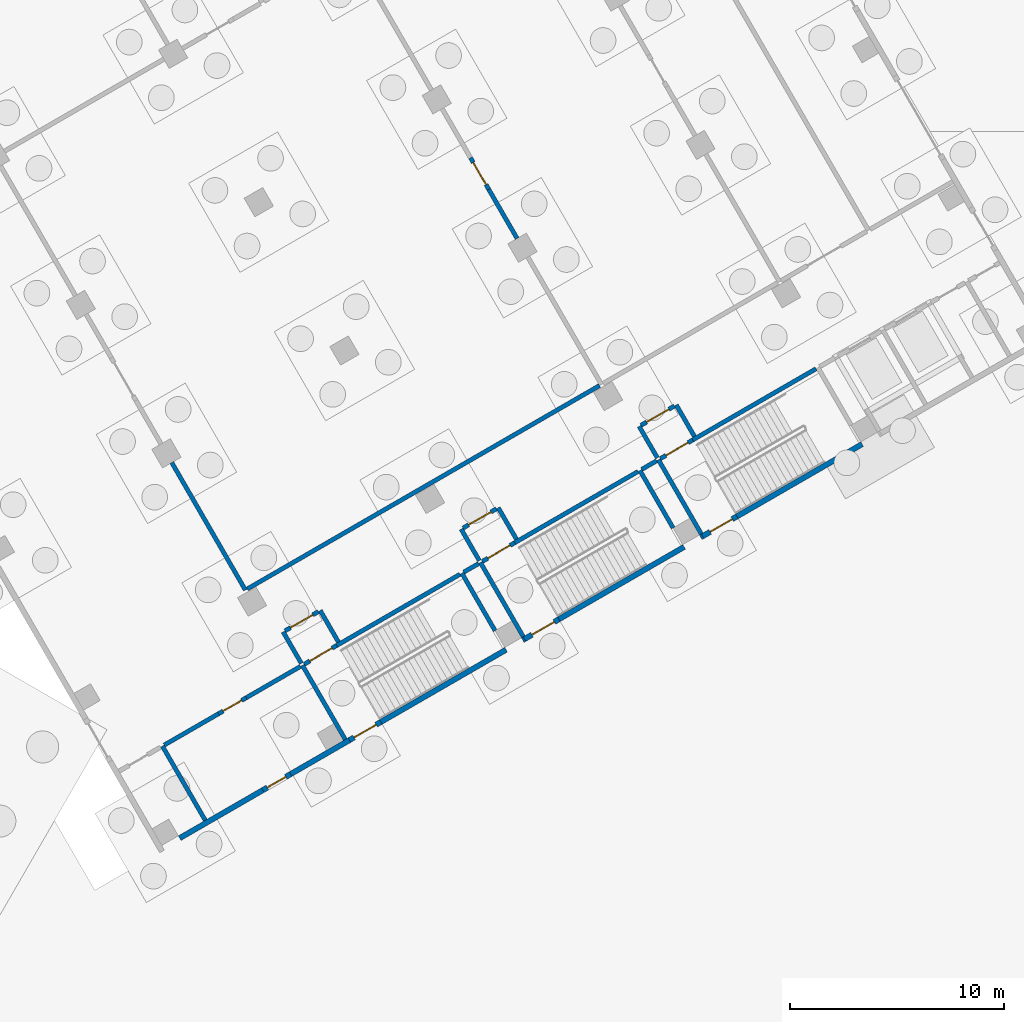
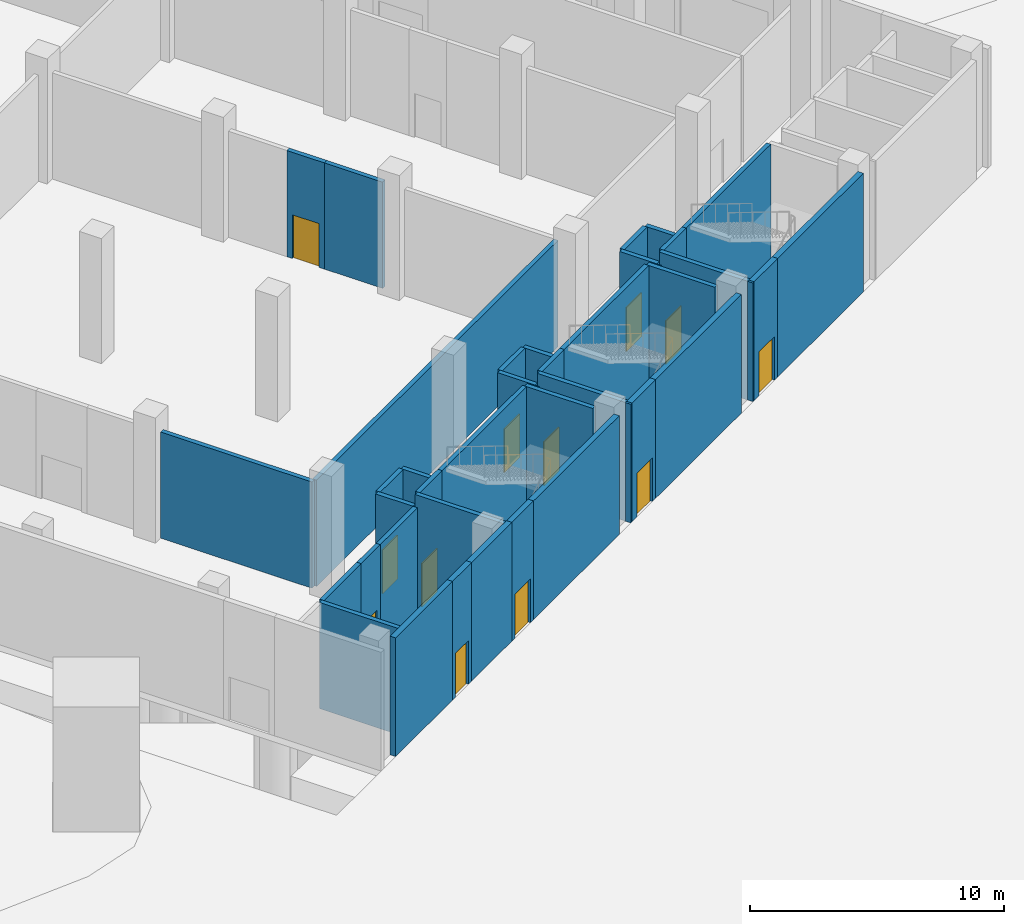
# One storey, part 21 of 38: 41 walls, 12 doors, 12 openings.
"""IFC4 building model written with IfcOpenShell, lengths in metres."""

import ifcopenshell
import ifcopenshell.guid

model = None  # the IFC model being written
_history = None  # IfcOwnerHistory: only IFC2X3 demands one
_inside = {}  # id of a spatial element -> (the spatial element, [elements in it])
_under = {}  # id of a project, library or spatial element -> (it, [spatial elements below it])
_declared = {}  # id of a project -> (the project, [libraries it declares])
_typed = {}  # id of a type object -> (the type object, [elements of that type])
_made_of = {}  # id of a material, layer set ... -> (it, [elements and type objects made of it])


def new_model(schema):
    """Start an empty IFC model of exactly this schema.

    Asked for "IFC4X3", IfcOpenShell would pick the latest addendum, in which some entities
    have other attributes; the version numbers below select the first issue.
    IFC2X3 requires an IfcOwnerHistory on every rooted entity: one is made here for all.
    """
    global model, _history
    if schema == "IFC4X3":
        model = ifcopenshell.file(schema_version=(4, 3, 0, 0))
    else:
        model = ifcopenshell.file(schema=schema)
    _inside.clear()
    _under.clear()
    _declared.clear()
    _typed.clear()
    _made_of.clear()
    _history = None
    if model.schema == "IFC2X3":
        org = make("IfcOrganization", Name="unknown")
        user = make(
            "IfcPersonAndOrganization",
            ThePerson=make("IfcPerson", FamilyName="unknown"),
            TheOrganization=org,
        )
        app = make(
            "IfcApplication",
            ApplicationDeveloper=org,
            Version="unknown",
            ApplicationFullName="unknown",
            ApplicationIdentifier="unknown",
        )
        _history = make(
            "IfcOwnerHistory",
            OwningUser=user,
            OwningApplication=app,
            ChangeAction="ADDED",
            CreationDate=0,
        )
    return model


def make(cls, **values):
    """One entity of the class cls with the attributes given. An attribute that is None is left unset."""
    return model.create_entity(
        cls, **{name: value for name, value in values.items() if value is not None}
    )


def rooted(cls, **values):
    """An entity with a GlobalId (a new one), such as an element, a storey or a relation."""
    return make(cls, GlobalId=ifcopenshell.guid.new(), OwnerHistory=_history, **values)


def si_unit(unit_type, name, prefix=None):
    """IfcSIUnit, for example si_unit("LENGTHUNIT", "METRE", prefix="MILLI")."""
    return make("IfcSIUnit", UnitType=unit_type, Prefix=prefix, Name=name)


def assignment(units):
    """IfcUnitAssignment: the units of a project."""
    return None if units is None else make("IfcUnitAssignment", Units=units)


def point(xyz):
    """IfcCartesianPoint."""
    return None if xyz is None else make("IfcCartesianPoint", Coordinates=xyz)


def direction(xyz):
    """IfcDirection."""
    return None if xyz is None else make("IfcDirection", DirectionRatios=xyz)


def frame(location, z_axis=None, x_axis=None):
    """IfcAxis2Placement3D, a coordinate frame: its origin and axes. An axis left out is left unset."""
    return make(
        "IfcAxis2Placement3D",
        Location=point(location),
        Axis=direction(z_axis),
        RefDirection=direction(x_axis),
    )


def frame_2d(location, x_axis=None):
    """IfcAxis2Placement2D, a coordinate frame in the plane: its origin and x axis."""
    return make(
        "IfcAxis2Placement2D", Location=point(location), RefDirection=direction(x_axis)
    )


def origin():
    """The frame at (0, 0, 0) with its axes left unset."""
    return frame((0.0, 0.0, 0.0))


def place(relative_to, where):
    """IfcLocalPlacement: puts the frame where relative to a parent placement (None: the world)."""
    return make(
        "IfcLocalPlacement", PlacementRelTo=relative_to, RelativePlacement=where
    )


def context(
    kind, dimensions, precision=None, world=None, true_north=None, identifier=None
):
    """IfcGeometricRepresentationContext, for example the 3D "Model" context."""
    return make(
        "IfcGeometricRepresentationContext",
        ContextIdentifier=identifier,
        ContextType=kind,
        CoordinateSpaceDimension=dimensions,
        Precision=precision,
        WorldCoordinateSystem=world,
        TrueNorth=true_north,
    )


def subcontext(parent, identifier, kind, view, scale=None):
    """IfcGeometricRepresentationSubContext, for example "Body" below "Model"."""
    return make(
        "IfcGeometricRepresentationSubContext",
        ContextIdentifier=identifier,
        ContextType=kind,
        ParentContext=parent,
        TargetScale=scale,
        TargetView=view,
    )


def project(units=None, contexts=None):
    """IfcProject with its units and contexts."""
    return rooted(
        "IfcProject",
        Name="project",
        RepresentationContexts=contexts,
        UnitsInContext=assignment(units),
    )


def spatial(cls, under=None, at=None, **own):
    """A site, building, storey or space (cls), placed at a placement, below another one or the project."""
    s = rooted(cls, ObjectPlacement=at, **own)
    if under is not None:
        _under.setdefault(under.id(), (under, []))[1].append(s)
    return s


def profile(cls, at=None, kind="AREA", **sizes):
    """A parametric profile (cls). Its sizes go by their IFC names, for example OverallWidth=200.0."""
    return make(cls, ProfileType=kind, Position=at, **sizes)


def rectangle(**sizes):
    """IfcRectangleProfileDef."""
    return profile("IfcRectangleProfileDef", **sizes)


def extrude(swept, where, along, depth):
    """IfcExtrudedAreaSolid: the profile swept, set in the frame where, extruded along a direction by depth."""
    return make(
        "IfcExtrudedAreaSolid",
        SweptArea=swept,
        Position=where,
        ExtrudedDirection=direction(along),
        Depth=depth,
    )


def shape(context_of_items, identifier, shape_type, items):
    """IfcShapeRepresentation: the items that make up one representation, for example the "Body"."""
    return make(
        "IfcShapeRepresentation",
        ContextOfItems=context_of_items,
        RepresentationIdentifier=identifier,
        RepresentationType=shape_type,
        Items=items,
    )


def material(Name=None, Category=None):
    """IfcMaterial."""
    return make("IfcMaterial", Name=Name, Category=Category)


def layer(
    of_material, thickness, ventilated=None, Name=None, Category=None, Priority=None
):
    """IfcMaterialLayer: one layer of a wall or slab, of a material (None: an air gap)."""
    return make(
        "IfcMaterialLayer",
        Material=of_material,
        LayerThickness=thickness,
        IsVentilated=ventilated,
        Name=Name,
        Category=Category,
        Priority=Priority,
    )


def layer_set(layers, Name=None):
    """IfcMaterialLayerSet."""
    return make("IfcMaterialLayerSet", MaterialLayers=layers, LayerSetName=Name)


def made_of(thing, what):
    """Note that an element or type object is made of a material, layer set ...; save() writes the relation."""
    if what is not None:
        _made_of.setdefault(what.id(), (what, []))[1].append(thing)
    return thing


def type_object(cls, material=None, **own):
    """A type object (cls), such as IfcWallType, which elements share."""
    return made_of(rooted(cls, **own), material)


def element(
    cls,
    number,
    at=None,
    inside=None,
    cuts=None,
    type_object=None,
    material=None,
    context=None,
    identifier="Body",
    shape_type=None,
    held_by="IfcProductDefinitionShape",
    body=None,
    shapes=None,
    **own,
):
    """One element of the class cls, such as IfcWall. Its Tag is "e" and its number.

    at: its placement. inside: the storey or other place that contains it. cuts: it is an
    opening in that element (IfcRelVoidsElement). A single representation is given by context,
    identifier, shape_type and body (its items); several are given by shapes. held_by: the class
    of the entity that holds the representations. save() writes the other relations.
    """
    e = rooted(cls, Tag="e%d" % number, ObjectPlacement=at, **own)
    if body is not None:
        shapes = [shape(context, identifier, shape_type, body)]
    if shapes is not None:
        e.Representation = make(held_by, Representations=shapes)
    if inside is not None:
        _inside.setdefault(inside.id(), (inside, []))[1].append(e)
    if cuts is not None:
        rooted(
            "IfcRelVoidsElement", RelatingBuildingElement=cuts, RelatedOpeningElement=e
        )
    if type_object is not None:
        _typed.setdefault(type_object.id(), (type_object, []))[1].append(e)
    return made_of(e, material)


def fill(opening, filler):
    """IfcRelFillsElement: the door or window that sits in an opening."""
    return rooted(
        "IfcRelFillsElement",
        RelatingOpeningElement=opening,
        RelatedBuildingElement=filler,
    )


def aggregate(whole, parts):
    """IfcRelAggregates: a whole, such as a stair, and the parts it consists of."""
    return rooted("IfcRelAggregates", RelatingObject=whole, RelatedObjects=parts)


def save(model, path):
    """Write the relations noted so far, then the file.

    IfcRelAggregates (storeys below a building ...), IfcRelContainedInSpatialStructure (elements
    in a storey), IfcRelDefinesByType, IfcRelAssociatesMaterial and IfcRelDeclares: one each for
    every whole, place, type object, material and project.
    """
    for whole, parts in _under.values():
        aggregate(whole, parts)
    for where, things in _inside.values():
        rooted(
            "IfcRelContainedInSpatialStructure",
            RelatedElements=things,
            RelatingStructure=where,
        )
    for kind, things in _typed.values():
        rooted("IfcRelDefinesByType", RelatedObjects=things, RelatingType=kind)
    for what, things in _made_of.values():
        rooted("IfcRelAssociatesMaterial", RelatedObjects=things, RelatingMaterial=what)
    for by, libraries in _declared.values():
        rooted("IfcRelDeclares", RelatingContext=by, RelatedDefinitions=libraries)
    model.write(path)


model = new_model("IFC4")

# Units and contexts
model_context = context("Model", 3, precision=1e-05, world=origin(), true_north=direction((0.0, 1.0)))
body_context = subcontext(model_context, "Body", "Model", "MODEL_VIEW")
ifc_project = project(units=[si_unit("LENGTHUNIT", "METRE"), si_unit("AREAUNIT", "SQUARE_METRE"), si_unit("VOLUMEUNIT", "CUBIC_METRE"), si_unit("PLANEANGLEUNIT", "RADIAN"), si_unit("MASSUNIT", "GRAM", prefix="KILO")], contexts=[model_context])

# Site, building, storey
site_placement = place(None, origin())
site = spatial("IfcSite", under=ifc_project, at=site_placement, CompositionType="ELEMENT")
building_placement = place(site_placement, origin())
building = spatial("IfcBuilding", under=site, at=building_placement, Name="Mestral Congress Tower", CompositionType="ELEMENT")
storey_placement = place(building_placement, origin())
storey = spatial("IfcBuildingStorey", under=building, at=storey_placement, Name="L00", CompositionType="ELEMENT", Elevation=0.0)

# Wall
ifc_material_1 = material(Name="Precast concrete C40/50 with limestone facing", Category="masonry")
ifc_layer_1 = layer(ifc_material_1, 0.25)
ifc_layer_set_1 = layer_set([ifc_layer_1], Name="Precast concrete C40/50 with limestone facing")
wall_type_1 = type_object("IfcWallType", Name="Podium external wall 250", PredefinedType="SOLIDWALL", material=ifc_layer_set_1)
wall_1_placement = place(storey_placement, frame((47.26318359375, -18.756103515625, 0.0), z_axis=(0.0, 0.0, 1.0), x_axis=(-0.866022053326, -0.50000580312, 0.0)))
element("IfcWall", 1, at=wall_1_placement, inside=storey, type_object=wall_type_1, Name="L00 external wall", PredefinedType="SOLIDWALL", context=body_context, shape_type="SweptSolid", body=[
    extrude(rectangle(XDim=4.47509765625, YDim=0.25, at=frame_2d((2.237548828125, 0.0))), origin(), (0.0, 0.0, 1.0), 5.699951171875),
])

# Wall, opening, door
wall_2_placement = place(storey_placement, frame((48.562255859375, -18.006103515625, 0.0), z_axis=(0.0, 0.0, 1.0), x_axis=(-0.866031096941, -0.499990139034, 0.0)))
wall_2 = element("IfcWall", 2, at=wall_2_placement, inside=storey, type_object=wall_type_1, Name="L00 external wall", PredefinedType="SOLIDWALL", context=body_context, shape_type="SweptSolid", body=[
    extrude(rectangle(XDim=1.5, YDim=0.25, at=frame_2d((0.75, 0.0))), origin(), (0.0, 0.0, 1.0), 5.699951171875),
])
opening_1_placement = place(wall_2_placement, frame((0.25, 0.0, 0.0)))
opening_1 = element("IfcOpeningElement", 3, at=opening_1_placement, cuts=wall_2, Name="Opening P00-013", PredefinedType="OPENING", context=body_context, shape_type="SweptSolid", body=[
    extrude(rectangle(XDim=1.0, YDim=2.10009765625, at=frame_2d((0.5, 1.050048828125))), frame((0.0, 0.135009765625, 0.0), z_axis=(0.0, -1.0, 0.0), x_axis=(1.0, 0.0, 0.0)), (0.0, 0.0, 1.0), 0.27001953125),
])
ifc_material_2 = material(Name="Steel and glass door set", Category="steel")
door_type_1 = type_object("IfcDoorType", Name="Podium exit door 1000x2100", OperationType="SINGLE_SWING_LEFT", PredefinedType="DOOR", material=ifc_material_2)
door_1_placement = place(opening_1_placement, origin())
door_1 = element("IfcDoor", 4, at=door_1_placement, inside=storey, type_object=door_type_1, Name="Door P00-013", OperationType="SINGLE_SWING_LEFT", OverallHeight=2.10009765625, OverallWidth=1.0, PredefinedType="DOOR", context=body_context, shape_type="SweptSolid", body=[
    extrude(rectangle(XDim=1.0, YDim=2.10009765625, at=frame_2d((0.5, 1.050048828125))), frame((0.0, 0.02490234375, 0.0), z_axis=(0.0, -1.0, 0.0), x_axis=(1.0, 0.0, 0.0)), (0.0, 0.0, 1.0), 0.050048828125),
])
fill(opening_1, door_1)

# Wall
wall_3_placement = place(storey_placement, frame((51.31201171875, -16.418701171875, 0.0), z_axis=(0.0, 0.0, 1.0), x_axis=(-0.866048579423, -0.499959856469, 0.0)))
element("IfcWall", 5, at=wall_3_placement, inside=storey, type_object=wall_type_1, Name="L00 external wall", PredefinedType="SOLIDWALL", context=body_context, shape_type="SweptSolid", body=[
    extrude(rectangle(XDim=3.175048828125, YDim=0.25, at=frame_2d((1.58740234375, 0.0))), origin(), (0.0, 0.0, 1.0), 5.699951171875),
])

# Wall, opening, door
wall_4_placement = place(storey_placement, frame((52.7841796875, -15.568603515625, 0.0), z_axis=(0.0, 0.0, 1.0), x_axis=(-0.865989465428, -0.500062241894, 0.0)))
wall_4 = element("IfcWall", 6, at=wall_4_placement, inside=storey, type_object=wall_type_1, Name="L00 external wall", PredefinedType="SOLIDWALL", context=body_context, shape_type="SweptSolid", body=[
    extrude(rectangle(XDim=1.699951171875, YDim=0.25, at=frame_2d((0.85009765625, 0.0))), origin(), (0.0, 0.0, 1.0), 5.699951171875),
])
opening_2_placement = place(wall_4_placement, frame((0.25, 0.0, 0.0)))
opening_2 = element("IfcOpeningElement", 7, at=opening_2_placement, cuts=wall_4, Name="Opening P00-014", PredefinedType="OPENING", context=body_context, shape_type="SweptSolid", body=[
    extrude(rectangle(XDim=1.199951171875, YDim=2.10009765625, at=frame_2d((0.60009765625, 1.050048828125))), frame((0.0, 0.135009765625, 0.0), z_axis=(0.0, -1.0, 0.0), x_axis=(1.0, 0.0, 0.0)), (0.0, 0.0, 1.0), 0.27001953125),
])
door_type_2 = type_object("IfcDoorType", Name="Podium exit door 1200x2100", OperationType="SINGLE_SWING_LEFT", PredefinedType="DOOR", material=ifc_material_2)
door_2_placement = place(opening_2_placement, origin())
door_2 = element("IfcDoor", 8, at=door_2_placement, inside=storey, type_object=door_type_2, Name="Door P00-014", OperationType="SINGLE_SWING_LEFT", OverallHeight=2.10009765625, OverallWidth=1.199951171875, PredefinedType="DOOR", context=body_context, shape_type="SweptSolid", body=[
    extrude(rectangle(XDim=1.199951171875, YDim=2.10009765625, at=frame_2d((0.60009765625, 1.050048828125))), frame((0.0, 0.02490234375, 0.0), z_axis=(0.0, -1.0, 0.0), x_axis=(1.0, 0.0, 0.0)), (0.0, 0.0, 1.0), 0.050048828125),
])
fill(opening_2, door_2)

# Wall
wall_5_placement = place(storey_placement, frame((58.6298828125, -12.193603515625, 0.0), z_axis=(0.0, 0.0, 1.0), x_axis=(-0.866026575979, -0.499997969693, 0.0)))
element("IfcWall", 9, at=wall_5_placement, inside=storey, type_object=wall_type_1, Name="L00 external wall", PredefinedType="SOLIDWALL", context=body_context, shape_type="SweptSolid", body=[
    extrude(rectangle(XDim=6.75, YDim=0.25, at=frame_2d((3.375, 0.0))), origin(), (0.0, 0.0, 1.0), 5.699951171875),
])

# Wall, opening, door
wall_6_placement = place(storey_placement, frame((61.097900390625, -10.768798828125, 0.0), z_axis=(0.0, 0.0, 1.0), x_axis=(-0.866058118026, -0.49994333299, 0.0)))
wall_6 = element("IfcWall", 10, at=wall_6_placement, inside=storey, type_object=wall_type_1, Name="L00 external wall", PredefinedType="SOLIDWALL", context=body_context, shape_type="SweptSolid", body=[
    extrude(rectangle(XDim=1.849853515625, YDim=0.25, at=frame_2d((0.9248046875, 0.0))), origin(), (0.0, 0.0, 1.0), 5.699951171875),
])
opening_3_placement = place(wall_6_placement, frame((0.25, 0.0, 0.0)))
opening_3 = element("IfcOpeningElement", 11, at=opening_3_placement, cuts=wall_6, Name="Opening P00-015", PredefinedType="OPENING", context=body_context, shape_type="SweptSolid", body=[
    extrude(rectangle(XDim=1.199951171875, YDim=2.10009765625, at=frame_2d((0.60009765625, 1.050048828125))), frame((0.0, 0.135009765625, 0.0), z_axis=(0.0, -1.0, 0.0), x_axis=(1.0, 0.0, 0.0)), (0.0, 0.0, 1.0), 0.27001953125),
])
door_3_placement = place(opening_3_placement, origin())
door_3 = element("IfcDoor", 12, at=door_3_placement, inside=storey, type_object=door_type_2, Name="Door P00-015", OperationType="SINGLE_SWING_LEFT", OverallHeight=2.10009765625, OverallWidth=1.199951171875, PredefinedType="DOOR", context=body_context, shape_type="SweptSolid", body=[
    extrude(rectangle(XDim=1.199951171875, YDim=2.10009765625, at=frame_2d((0.60009765625, 1.050048828125))), frame((0.0, 0.02490234375, 0.0), z_axis=(0.0, -1.0, 0.0), x_axis=(1.0, 0.0, 0.0)), (0.0, 0.0, 1.0), 0.050048828125),
])
fill(opening_3, door_3)

# Wall
wall_7_placement = place(storey_placement, frame((66.943603515625, -7.393798828125, 0.0), z_axis=(0.0, 0.0, 1.0), x_axis=(-0.866026575979, -0.499997969693, 0.0)))
element("IfcWall", 13, at=wall_7_placement, inside=storey, type_object=wall_type_1, Name="L00 external wall", PredefinedType="SOLIDWALL", context=body_context, shape_type="SweptSolid", body=[
    extrude(rectangle(XDim=6.75, YDim=0.25, at=frame_2d((3.375, 0.0))), origin(), (0.0, 0.0, 1.0), 5.699951171875),
])

# Wall, opening, door
wall_8_placement = place(storey_placement, frame((69.411865234375, -5.96875, 0.0), z_axis=(0.0, 0.0, 1.0), x_axis=(-0.866033964044, -0.499985172903, 0.0)))
wall_8 = element("IfcWall", 14, at=wall_8_placement, inside=storey, type_object=wall_type_1, Name="L00 external wall", PredefinedType="SOLIDWALL", context=body_context, shape_type="SweptSolid", body=[
    extrude(rectangle(XDim=1.85009765625, YDim=0.25, at=frame_2d((0.925048828125, 0.0))), origin(), (0.0, 0.0, 1.0), 5.699951171875),
])
opening_4_placement = place(wall_8_placement, frame((0.25, 0.0, 0.0)))
opening_4 = element("IfcOpeningElement", 15, at=opening_4_placement, cuts=wall_8, Name="Opening P00-016", PredefinedType="OPENING", context=body_context, shape_type="SweptSolid", body=[
    extrude(rectangle(XDim=1.199951171875, YDim=2.10009765625, at=frame_2d((0.60009765625, 1.050048828125))), frame((0.0, 0.135009765625, 0.0), z_axis=(0.0, -1.0, 0.0), x_axis=(1.0, 0.0, 0.0)), (0.0, 0.0, 1.0), 0.27001953125),
])
door_4_placement = place(opening_4_placement, origin())
door_4 = element("IfcDoor", 16, at=door_4_placement, inside=storey, type_object=door_type_2, Name="Door P00-016", OperationType="SINGLE_SWING_LEFT", OverallHeight=2.10009765625, OverallWidth=1.199951171875, PredefinedType="DOOR", context=body_context, shape_type="SweptSolid", body=[
    extrude(rectangle(XDim=1.199951171875, YDim=2.10009765625, at=frame_2d((0.60009765625, 1.050048828125))), frame((0.0, 0.02490234375, 0.0), z_axis=(0.0, -1.0, 0.0), x_axis=(1.0, 0.0, 0.0)), (0.0, 0.0, 1.0), 0.050048828125),
])
fill(opening_4, door_4)

# Walls
wall_9_placement = place(storey_placement, frame((75.257568359375, -2.59375, 0.0), z_axis=(0.0, 0.0, 1.0), x_axis=(-0.866026575979, -0.499997969693, 0.0)))
element("IfcWall", 17, at=wall_9_placement, inside=storey, type_object=wall_type_1, Name="L00 external wall", PredefinedType="SOLIDWALL", context=body_context, shape_type="SweptSolid", body=[
    extrude(rectangle(XDim=6.75, YDim=0.25, at=frame_2d((3.375, 0.0))), origin(), (0.0, 0.0, 1.0), 5.699951171875),
])
wall_10_placement = place(storey_placement, frame((59.495849609375, -11.693603515625, 0.0), z_axis=(0.0, 0.0, 1.0), x_axis=(-0.865982457891, -0.500074377092, 0.0)))
element("IfcWall", 18, at=wall_10_placement, inside=storey, type_object=wall_type_1, Name="L00 external wall", PredefinedType="SOLIDWALL", context=body_context, shape_type="SweptSolid", body=[
    extrude(rectangle(XDim=0.10009765625, YDim=0.25, at=frame_2d((0.050048828125, 0.0))), origin(), (0.0, 0.0, 1.0), 5.699951171875),
])
wall_11_placement = place(storey_placement, frame((67.8095703125, -6.893798828125, 0.0), z_axis=(0.0, 0.0, 1.0), x_axis=(-0.867038199201, -0.4982416694, 0.0)))
element("IfcWall", 19, at=wall_11_placement, inside=storey, type_object=wall_type_1, Name="L00 external wall", PredefinedType="SOLIDWALL", context=body_context, shape_type="SweptSolid", body=[
    extrude(rectangle(XDim=0.099853515625, YDim=0.25, at=frame_2d((0.0498046875, 0.0))), origin(), (0.0, 0.0, 1.0), 5.699951171875),
])
ifc_material_3 = material(Name="Masonry block wall", Category="masonry")
ifc_layer_2 = layer(ifc_material_3, 0.199951171875)
ifc_layer_set_2 = layer_set([ifc_layer_2], Name="Masonry block wall")
wall_type_2 = type_object("IfcWallType", Name="Podium stair enclosure wall 200 EI 120 load-bearing", PredefinedType="SOLIDWALL", material=ifc_layer_set_2)
wall_12_placement = place(storey_placement, frame((51.119384765625, -16.385498046875, 0.0), z_axis=(0.0, 0.0, 1.0), x_axis=(-0.49999894854, 0.866026010844, 0.0)))
element("IfcWall", 20, at=wall_12_placement, inside=storey, type_object=wall_type_2, Name="L00 partition", PredefinedType="SOLIDWALL", context=body_context, shape_type="SweptSolid", body=[
    extrude(rectangle(XDim=4.0, YDim=0.199951171875, at=frame_2d((2.0, 0.0))), origin(), (0.0, 0.0, 1.0), 5.699951171875),
])
wall_13_placement = place(storey_placement, frame((58.1171875, -11.30615234375, 0.0), z_axis=(0.0, 0.0, 1.0), x_axis=(-0.499933790963, 0.866063626216, 0.0)))
element("IfcWall", 21, at=wall_13_placement, inside=storey, type_object=wall_type_2, Name="L00 partition", PredefinedType="SOLIDWALL", context=body_context, shape_type="SweptSolid", body=[
    extrude(rectangle(XDim=3.10009765625, YDim=0.199951171875, at=frame_2d((1.550048828125, 0.0))), origin(), (0.0, 0.0, 1.0), 5.699951171875),
])
wall_14_placement = place(storey_placement, frame((59.433349609375, -11.58544921875, 0.0), z_axis=(0.0, 0.0, 1.0), x_axis=(-0.49999894854, 0.866026010844, 0.0)))
element("IfcWall", 22, at=wall_14_placement, inside=storey, type_object=wall_type_2, Name="L00 partition", PredefinedType="SOLIDWALL", context=body_context, shape_type="SweptSolid", body=[
    extrude(rectangle(XDim=4.0, YDim=0.199951171875, at=frame_2d((2.0, 0.0))), origin(), (0.0, 0.0, 1.0), 5.699951171875),
])
wall_15_placement = place(storey_placement, frame((66.43115234375, -6.506103515625, 0.0), z_axis=(0.0, 0.0, 1.0), x_axis=(-0.49999285859, 0.86602952684, 0.0)))
element("IfcWall", 23, at=wall_15_placement, inside=storey, type_object=wall_type_2, Name="L00 partition", PredefinedType="SOLIDWALL", context=body_context, shape_type="SweptSolid", body=[
    extrude(rectangle(XDim=3.10009765625, YDim=0.199951171875, at=frame_2d((1.550048828125, 0.0))), origin(), (0.0, 0.0, 1.0), 5.699951171875),
])
wall_16_placement = place(storey_placement, frame((67.7470703125, -6.785400390625, 0.0), z_axis=(0.0, 0.0, 1.0), x_axis=(-0.49999894854, 0.866026010844, 0.0)))
element("IfcWall", 24, at=wall_16_placement, inside=storey, type_object=wall_type_2, Name="L00 partition", PredefinedType="SOLIDWALL", context=body_context, shape_type="SweptSolid", body=[
    extrude(rectangle(XDim=4.0, YDim=0.199951171875, at=frame_2d((2.0, 0.0))), origin(), (0.0, 0.0, 1.0), 5.699951171875),
])

# Wall, opening, door
wall_17_placement = place(storey_placement, frame((50.7216796875, -11.996337890625, 0.0), z_axis=(0.0, 0.0, 1.0), x_axis=(-0.866036909293, -0.499980071345, 0.0)))
wall_17 = element("IfcWall", 25, at=wall_17_placement, inside=storey, type_object=wall_type_2, Name="L00 partition", PredefinedType="SOLIDWALL", context=body_context, shape_type="SweptSolid", body=[
    extrude(rectangle(XDim=1.75, YDim=0.199951171875, at=frame_2d((0.875, 0.0))), origin(), (0.0, 0.0, 1.0), 5.699951171875),
])
opening_5_placement = place(wall_17_placement, frame((0.25, 0.0, 0.0)))
opening_5 = element("IfcOpeningElement", 26, at=opening_5_placement, cuts=wall_17, Name="Opening P00-020", PredefinedType="OPENING", context=body_context, shape_type="SweptSolid", body=[
    extrude(rectangle(XDim=1.199951171875, YDim=2.10009765625, at=frame_2d((0.60009765625, 1.050048828125))), frame((0.0, 0.10986328125, 0.0), z_axis=(0.0, -1.0, 0.0), x_axis=(1.0, 0.0, 0.0)), (0.0, 0.0, 1.0), 0.219970703125),
])
ifc_material_4 = material(Name="Fire-rated steel door set", Category="steel")
door_type_3 = type_object("IfcDoorType", Name="Podium stair door 1200x2100 EI2 30-C5", OperationType="SINGLE_SWING_LEFT", PredefinedType="DOOR", material=ifc_material_4)
door_5_placement = place(opening_5_placement, origin())
door_5 = element("IfcDoor", 27, at=door_5_placement, inside=storey, type_object=door_type_3, Name="Door P00-020", OperationType="SINGLE_SWING_LEFT", OverallHeight=2.10009765625, OverallWidth=1.199951171875, PredefinedType="DOOR", context=body_context, shape_type="SweptSolid", body=[
    extrude(rectangle(XDim=1.199951171875, YDim=2.10009765625, at=frame_2d((0.60009765625, 1.050048828125))), frame((0.0, 0.02490234375, 0.0), z_axis=(0.0, -1.0, 0.0), x_axis=(1.0, 0.0, 0.0)), (0.0, 0.0, 1.0), 0.050048828125),
])
fill(opening_5, door_5)

# Wall
wall_18_placement = place(storey_placement, frame((50.7216796875, -11.996337890625, 0.0), z_axis=(0.0, 0.0, 1.0), x_axis=(0.866027239912, 0.49999681972, 0.0)))
element("IfcWall", 28, at=wall_18_placement, inside=storey, type_object=wall_type_2, Name="L00 partition", PredefinedType="SOLIDWALL", context=body_context, shape_type="SweptSolid", body=[
    extrude(rectangle(XDim=6.64990234375, YDim=0.199951171875, at=frame_2d((3.324951171875, 0.0))), origin(), (0.0, 0.0, 1.0), 5.699951171875),
])

# Wall, opening, door
wall_19_placement = place(storey_placement, frame((59.035400390625, -7.1962890625, 0.0), z_axis=(0.0, 0.0, 1.0), x_axis=(-0.866002029911, -0.500040482552, 0.0)))
wall_19 = element("IfcWall", 29, at=wall_19_placement, inside=storey, type_object=wall_type_2, Name="L00 partition", PredefinedType="SOLIDWALL", context=body_context, shape_type="SweptSolid", body=[
    extrude(rectangle(XDim=1.749755859375, YDim=0.199951171875, at=frame_2d((0.875, 0.0))), origin(), (0.0, 0.0, 1.0), 5.699951171875),
])
opening_6_placement = place(wall_19_placement, frame((0.25, 0.0, 0.0)))
opening_6 = element("IfcOpeningElement", 30, at=opening_6_placement, cuts=wall_19, Name="Opening P00-021", PredefinedType="OPENING", context=body_context, shape_type="SweptSolid", body=[
    extrude(rectangle(XDim=1.199951171875, YDim=2.10009765625, at=frame_2d((0.60009765625, 1.050048828125))), frame((0.0, 0.10986328125, 0.0), z_axis=(0.0, -1.0, 0.0), x_axis=(1.0, 0.0, 0.0)), (0.0, 0.0, 1.0), 0.219970703125),
])
door_6_placement = place(opening_6_placement, origin())
door_6 = element("IfcDoor", 31, at=door_6_placement, inside=storey, type_object=door_type_3, Name="Door P00-021", OperationType="SINGLE_SWING_LEFT", OverallHeight=2.10009765625, OverallWidth=1.199951171875, PredefinedType="DOOR", context=body_context, shape_type="SweptSolid", body=[
    extrude(rectangle(XDim=1.199951171875, YDim=2.10009765625, at=frame_2d((0.60009765625, 1.050048828125))), frame((0.0, 0.02490234375, 0.0), z_axis=(0.0, -1.0, 0.0), x_axis=(1.0, 0.0, 0.0)), (0.0, 0.0, 1.0), 0.050048828125),
])
fill(opening_6, door_6)

# Wall
wall_20_placement = place(storey_placement, frame((59.035400390625, -7.1962890625, 0.0), z_axis=(0.0, 0.0, 1.0), x_axis=(0.866027239912, 0.49999681972, 0.0)))
element("IfcWall", 32, at=wall_20_placement, inside=storey, type_object=wall_type_2, Name="L00 partition", PredefinedType="SOLIDWALL", context=body_context, shape_type="SweptSolid", body=[
    extrude(rectangle(XDim=6.64990234375, YDim=0.199951171875, at=frame_2d((3.324951171875, 0.0))), origin(), (0.0, 0.0, 1.0), 5.699951171875),
])

# Wall, opening, door
wall_21_placement = place(storey_placement, frame((67.349365234375, -2.396484375, 0.0), z_axis=(0.0, 0.0, 1.0), x_axis=(-0.866036909293, -0.499980071345, 0.0)))
wall_21 = element("IfcWall", 33, at=wall_21_placement, inside=storey, type_object=wall_type_2, Name="L00 partition", PredefinedType="SOLIDWALL", context=body_context, shape_type="SweptSolid", body=[
    extrude(rectangle(XDim=1.75, YDim=0.199951171875, at=frame_2d((0.875, 0.0))), origin(), (0.0, 0.0, 1.0), 5.699951171875),
])
opening_7_placement = place(wall_21_placement, frame((0.25, 0.0, 0.0)))
opening_7 = element("IfcOpeningElement", 34, at=opening_7_placement, cuts=wall_21, Name="Opening P00-022", PredefinedType="OPENING", context=body_context, shape_type="SweptSolid", body=[
    extrude(rectangle(XDim=1.199951171875, YDim=2.10009765625, at=frame_2d((0.60009765625, 1.050048828125))), frame((0.0, 0.10986328125, 0.0), z_axis=(0.0, -1.0, 0.0), x_axis=(1.0, 0.0, 0.0)), (0.0, 0.0, 1.0), 0.219970703125),
])
door_7_placement = place(opening_7_placement, origin())
door_7 = element("IfcDoor", 35, at=door_7_placement, inside=storey, type_object=door_type_3, Name="Door P00-022", OperationType="SINGLE_SWING_LEFT", OverallHeight=2.10009765625, OverallWidth=1.199951171875, PredefinedType="DOOR", context=body_context, shape_type="SweptSolid", body=[
    extrude(rectangle(XDim=1.199951171875, YDim=2.10009765625, at=frame_2d((0.60009765625, 1.050048828125))), frame((0.0, 0.02490234375, 0.0), z_axis=(0.0, -1.0, 0.0), x_axis=(1.0, 0.0, 0.0)), (0.0, 0.0, 1.0), 0.050048828125),
])
fill(opening_7, door_7)

# Walls
wall_22_placement = place(storey_placement, frame((67.349365234375, -2.396484375, 0.0), z_axis=(0.0, 0.0, 1.0), x_axis=(0.86601134256, 0.500024353964, 0.0)))
element("IfcWall", 36, at=wall_22_placement, inside=storey, type_object=wall_type_2, Name="L00 partition", PredefinedType="SOLIDWALL", context=body_context, shape_type="SweptSolid", body=[
    extrude(rectangle(XDim=6.650146484375, YDim=0.199951171875, at=frame_2d((3.3251953125, 0.0))), origin(), (0.0, 0.0, 1.0), 5.699951171875),
])
ifc_material_5 = material(Name="Fire-rated board partition")
ifc_layer_3 = layer(ifc_material_5, 0.199951171875)
ifc_layer_set_3 = layer_set([ifc_layer_3], Name="Fire-rated board partition")
wall_type_3 = type_object("IfcWallType", Name="Podium vestibule wall 200 EI 120", PredefinedType="PARTITIONING", material=ifc_layer_set_3)
for number, where, z_axis, x_axis, name in (
    (37, (49.069580078125, -12.834716796875, 0.0), (0.0, 0.0, 1.0), (-0.500062241894, 0.865989465428, 0.0), "L00 partition"),
    (38, (50.801513671875, -11.834716796875, 0.0), (0.0, 0.0, 1.0), (-0.500062241894, 0.865989465428, 0.0), "L00 partition"),
):
    element("IfcWall", number, at=place(storey_placement, frame(where, z_axis=z_axis, x_axis=x_axis)), inside=storey, type_object=wall_type_3, Name=name, PredefinedType="PARTITIONING", context=body_context, shape_type="SweptSolid", body=[
        extrude(rectangle(XDim=1.699951171875, YDim=0.199951171875, at=frame_2d((0.85009765625, 0.0))), origin(), (0.0, 0.0, 1.0), 5.10009765625),
    ])
for number, where, z_axis, x_axis, name in (
    (39, (57.38330078125, -8.034912109375, 0.0), (0.0, 0.0, 1.0), (-0.500000056704, 0.866025371046, 0.0), "L00 partition"),
    (40, (59.115478515625, -7.034912109375, 0.0), (0.0, 0.0, 1.0), (-0.500000056704, 0.866025371046, 0.0), "L00 partition"),
):
    element("IfcWall", number, at=place(storey_placement, frame(where, z_axis=z_axis, x_axis=x_axis)), inside=storey, type_object=wall_type_3, Name=name, PredefinedType="PARTITIONING", context=body_context, shape_type="SweptSolid", body=[
        extrude(rectangle(XDim=1.7001953125, YDim=0.199951171875, at=frame_2d((0.85009765625, 0.0))), origin(), (0.0, 0.0, 1.0), 5.10009765625),
    ])
wall_23_placement = place(storey_placement, frame((65.697021484375, -3.23486328125, 0.0), z_axis=(0.0, 0.0, 1.0), x_axis=(-0.499892348375, 0.866087547558, 0.0)))
element("IfcWall", 41, at=wall_23_placement, inside=storey, type_object=wall_type_3, Name="L00 partition", PredefinedType="PARTITIONING", context=body_context, shape_type="SweptSolid", body=[
    extrude(rectangle(XDim=1.699951171875, YDim=0.199951171875, at=frame_2d((0.85009765625, 0.0))), origin(), (0.0, 0.0, 1.0), 5.10009765625),
])
wall_24_placement = place(storey_placement, frame((67.42919921875, -2.23486328125, 0.0), z_axis=(0.0, 0.0, 1.0), x_axis=(-0.500000056704, 0.866025371046, 0.0)))
element("IfcWall", 42, at=wall_24_placement, inside=storey, type_object=wall_type_3, Name="L00 partition", PredefinedType="PARTITIONING", context=body_context, shape_type="SweptSolid", body=[
    extrude(rectangle(XDim=1.7001953125, YDim=0.199951171875, at=frame_2d((0.85009765625, 0.0))), origin(), (0.0, 0.0, 1.0), 5.10009765625),
])

# Wall, opening, door
wall_25_placement = place(storey_placement, frame((49.864990234375, -10.41259765625, 0.0), z_axis=(0.0, 0.0, 1.0), x_axis=(-0.866047807691, -0.499961193289, 0.0)))
wall_25 = element("IfcWall", 43, at=wall_25_placement, inside=storey, type_object=wall_type_3, Name="L00 partition", PredefinedType="PARTITIONING", context=body_context, shape_type="SweptSolid", body=[
    extrude(rectangle(XDim=1.800048828125, YDim=0.199951171875, at=frame_2d((0.89990234375, 0.0))), origin(), (0.0, 0.0, 1.0), 5.10009765625),
])
opening_8_placement = place(wall_25_placement, frame((0.300048828125, 0.0, 0.0)))
opening_8 = element("IfcOpeningElement", 44, at=opening_8_placement, cuts=wall_25, Name="Opening P00-030", PredefinedType="OPENING", context=body_context, shape_type="SweptSolid", body=[
    extrude(rectangle(XDim=1.199951171875, YDim=2.10009765625, at=frame_2d((0.60009765625, 1.050048828125))), frame((0.0, 0.10986328125, 0.0), z_axis=(0.0, -1.0, 0.0), x_axis=(1.0, 0.0, 0.0)), (0.0, 0.0, 1.0), 0.219970703125),
])
door_type_4 = type_object("IfcDoorType", Name="Podium vestibule door 1200x2100 EI2 30-C5", OperationType="SINGLE_SWING_LEFT", PredefinedType="DOOR", material=ifc_material_4)
door_8_placement = place(opening_8_placement, origin())
door_8 = element("IfcDoor", 45, at=door_8_placement, inside=storey, type_object=door_type_4, Name="Door P00-030", OperationType="SINGLE_SWING_LEFT", OverallHeight=2.10009765625, OverallWidth=1.199951171875, PredefinedType="DOOR", context=body_context, shape_type="SweptSolid", body=[
    extrude(rectangle(XDim=1.199951171875, YDim=2.10009765625, at=frame_2d((0.60009765625, 1.050048828125))), frame((0.0, 0.02490234375, 0.0), z_axis=(0.0, -1.0, 0.0), x_axis=(1.0, 0.0, 0.0)), (0.0, 0.0, 1.0), 0.050048828125),
])
fill(opening_8, door_8)

wall_26_placement = place(storey_placement, frame((58.1787109375, -5.612548828125, 0.0), z_axis=(0.0, 0.0, 1.0), x_axis=(-0.866047807691, -0.499961193289, 0.0)))
wall_26 = element("IfcWall", 46, at=wall_26_placement, inside=storey, type_object=wall_type_3, Name="L00 partition", PredefinedType="PARTITIONING", context=body_context, shape_type="SweptSolid", body=[
    extrude(rectangle(XDim=1.800048828125, YDim=0.199951171875, at=frame_2d((0.89990234375, 0.0))), origin(), (0.0, 0.0, 1.0), 5.10009765625),
])
opening_9_placement = place(wall_26_placement, frame((0.300048828125, 0.0, 0.0)))
opening_9 = element("IfcOpeningElement", 47, at=opening_9_placement, cuts=wall_26, Name="Opening P00-031", PredefinedType="OPENING", context=body_context, shape_type="SweptSolid", body=[
    extrude(rectangle(XDim=1.199951171875, YDim=2.10009765625, at=frame_2d((0.60009765625, 1.050048828125))), frame((0.0, 0.10986328125, 0.0), z_axis=(0.0, -1.0, 0.0), x_axis=(1.0, 0.0, 0.0)), (0.0, 0.0, 1.0), 0.219970703125),
])
door_9_placement = place(opening_9_placement, origin())
door_9 = element("IfcDoor", 48, at=door_9_placement, inside=storey, type_object=door_type_4, Name="Door P00-031", OperationType="SINGLE_SWING_LEFT", OverallHeight=2.10009765625, OverallWidth=1.199951171875, PredefinedType="DOOR", context=body_context, shape_type="SweptSolid", body=[
    extrude(rectangle(XDim=1.199951171875, YDim=2.10009765625, at=frame_2d((0.60009765625, 1.050048828125))), frame((0.0, 0.02490234375, 0.0), z_axis=(0.0, -1.0, 0.0), x_axis=(1.0, 0.0, 0.0)), (0.0, 0.0, 1.0), 0.050048828125),
])
fill(opening_9, door_9)

wall_27_placement = place(storey_placement, frame((66.49267578125, -0.8125, 0.0), z_axis=(0.0, 0.0, 1.0), x_axis=(-0.866081705922, -0.499902469156, 0.0)))
wall_27 = element("IfcWall", 49, at=wall_27_placement, inside=storey, type_object=wall_type_3, Name="L00 partition", PredefinedType="PARTITIONING", context=body_context, shape_type="SweptSolid", body=[
    extrude(rectangle(XDim=1.800048828125, YDim=0.199951171875, at=frame_2d((0.89990234375, 0.0))), origin(), (0.0, 0.0, 1.0), 5.10009765625),
])
opening_10_placement = place(wall_27_placement, frame((0.300048828125, 0.0, 0.0)))
opening_10 = element("IfcOpeningElement", 50, at=opening_10_placement, cuts=wall_27, Name="Opening P00-032", PredefinedType="OPENING", context=body_context, shape_type="SweptSolid", body=[
    extrude(rectangle(XDim=1.199951171875, YDim=2.10009765625, at=frame_2d((0.60009765625, 1.050048828125))), frame((0.0, 0.10986328125, 0.0), z_axis=(0.0, -1.0, 0.0), x_axis=(1.0, 0.0, 0.0)), (0.0, 0.0, 1.0), 0.219970703125),
])
door_10_placement = place(opening_10_placement, origin())
door_10 = element("IfcDoor", 51, at=door_10_placement, inside=storey, type_object=door_type_4, Name="Door P00-032", OperationType="SINGLE_SWING_LEFT", OverallHeight=2.10009765625, OverallWidth=1.199951171875, PredefinedType="DOOR", context=body_context, shape_type="SweptSolid", body=[
    extrude(rectangle(XDim=1.199951171875, YDim=2.10009765625, at=frame_2d((0.60009765625, 1.050048828125))), frame((0.0, 0.02490234375, 0.0), z_axis=(0.0, -1.0, 0.0), x_axis=(1.0, 0.0, 0.0)), (0.0, 0.0, 1.0), 0.050048828125),
])
fill(opening_10, door_10)

# Walls
wall_28_placement = place(storey_placement, frame((44.5810546875, -20.160400390625, 0.0), z_axis=(0.0, 0.0, 1.0), x_axis=(-0.49999894854, 0.866026010844, 0.0)))
element("IfcWall", 52, at=wall_28_placement, inside=storey, type_object=wall_type_3, Name="L00 partition", PredefinedType="PARTITIONING", context=body_context, shape_type="SweptSolid", body=[
    extrude(rectangle(XDim=4.0, YDim=0.199951171875, at=frame_2d((2.0, 0.0))), origin(), (0.0, 0.0, 1.0), 5.10009765625),
])
wall_29_placement = place(storey_placement, frame((42.66748046875, -16.646484375, 0.0), z_axis=(0.0, 0.0, 1.0), x_axis=(0.86601045545, 0.500025890382, 0.0)))
element("IfcWall", 53, at=wall_29_placement, inside=storey, type_object=wall_type_3, Name="L00 partition", PredefinedType="PARTITIONING", context=body_context, shape_type="SweptSolid", body=[
    extrude(rectangle(XDim=2.925048828125, YDim=0.199951171875, at=frame_2d((1.46240234375, 0.0))), origin(), (0.0, 0.0, 1.0), 5.10009765625),
])

# Wall, opening, door
wall_30_placement = place(storey_placement, frame((46.499755859375, -14.433837890625, 0.0), z_axis=(0.0, 0.0, 1.0), x_axis=(-0.866031096941, -0.499990139034, 0.0)))
wall_30 = element("IfcWall", 54, at=wall_30_placement, inside=storey, type_object=wall_type_3, Name="L00 partition", PredefinedType="PARTITIONING", context=body_context, shape_type="SweptSolid", body=[
    extrude(rectangle(XDim=1.5, YDim=0.199951171875, at=frame_2d((0.75, 0.0))), origin(), (0.0, 0.0, 1.0), 5.10009765625),
])
opening_11_placement = place(wall_30_placement, frame((0.25, 0.0, 0.0)))
opening_11 = element("IfcOpeningElement", 55, at=opening_11_placement, cuts=wall_30, Name="Opening P00-036", PredefinedType="OPENING", context=body_context, shape_type="SweptSolid", body=[
    extrude(rectangle(XDim=1.0, YDim=2.10009765625, at=frame_2d((0.5, 1.050048828125))), frame((0.0, 0.10986328125, 0.0), z_axis=(0.0, -1.0, 0.0), x_axis=(1.0, 0.0, 0.0)), (0.0, 0.0, 1.0), 0.219970703125),
])
door_type_5 = type_object("IfcDoorType", Name="Podium control room door 1000x2100 EI2 45-C5", OperationType="SINGLE_SWING_LEFT", PredefinedType="DOOR", material=ifc_material_4)
door_11_placement = place(opening_11_placement, origin())
door_11 = element("IfcDoor", 56, at=door_11_placement, inside=storey, type_object=door_type_5, Name="Door P00-036", OperationType="SINGLE_SWING_LEFT", OverallHeight=2.10009765625, OverallWidth=1.0, PredefinedType="DOOR", context=body_context, shape_type="SweptSolid", body=[
    extrude(rectangle(XDim=1.0, YDim=2.10009765625, at=frame_2d((0.5, 1.050048828125))), frame((0.0, 0.02490234375, 0.0), z_axis=(0.0, -1.0, 0.0), x_axis=(1.0, 0.0, 0.0)), (0.0, 0.0, 1.0), 0.050048828125),
])
fill(opening_11, door_11)

# Walls
wall_31_placement = place(storey_placement, frame((46.499755859375, -14.433837890625, 0.0), z_axis=(0.0, 0.0, 1.0), x_axis=(0.866046596414, 0.499963291492, 0.0)))
element("IfcWall", 57, at=wall_31_placement, inside=storey, type_object=wall_type_3, Name="L00 partition", PredefinedType="PARTITIONING", context=body_context, shape_type="SweptSolid", body=[
    extrude(rectangle(XDim=2.925048828125, YDim=0.199951171875, at=frame_2d((1.46240234375, 0.0))), origin(), (0.0, 0.0, 1.0), 5.10009765625),
])
wall_32_placement = place(storey_placement, frame((46.45556640625, -9.407470703125, 0.0), z_axis=(0.0, 0.0, 1.0), x_axis=(-0.500004234368, 0.866022959057, 0.0)))
element("IfcWall", 58, at=wall_32_placement, inside=storey, type_object=wall_type_3, Name="L00 partition", PredefinedType="PARTITIONING", context=body_context, shape_type="SweptSolid", body=[
    extrude(rectangle(XDim=6.875, YDim=0.199951171875, at=frame_2d((3.4375, 0.0))), origin(), (0.0, 0.0, 1.0), 5.10009765625),
])
wall_33_placement = place(storey_placement, frame((59.145751953125, 7.012451171875, 0.0), z_axis=(0.0, 0.0, 1.0), x_axis=(-0.499993606316, 0.866029095148, 0.0)))
element("IfcWall", 59, at=wall_33_placement, inside=storey, type_object=wall_type_3, Name="L00 partition", PredefinedType="PARTITIONING", context=body_context, shape_type="SweptSolid", body=[
    extrude(rectangle(XDim=2.64990234375, YDim=0.199951171875, at=frame_2d((1.324951171875, 0.0))), origin(), (0.0, 0.0, 1.0), 5.10009765625),
])

# Wall, opening, door
wall_34_placement = place(storey_placement, frame((57.82080078125, 9.307373046875, 0.0), z_axis=(0.0, 0.0, 1.0), x_axis=(-0.500062241894, 0.865989465428, 0.0)))
wall_34 = element("IfcWall", 60, at=wall_34_placement, inside=storey, type_object=wall_type_3, Name="L00 partition", PredefinedType="PARTITIONING", context=body_context, shape_type="SweptSolid", body=[
    extrude(rectangle(XDim=1.699951171875, YDim=0.199951171875, at=frame_2d((0.85009765625, 0.0))), origin(), (0.0, 0.0, 1.0), 5.10009765625),
])
opening_12_placement = place(wall_34_placement, frame((0.25, 0.0, 0.0)))
opening_12 = element("IfcOpeningElement", 61, at=opening_12_placement, cuts=wall_34, Name="Opening P00-049", PredefinedType="OPENING", context=body_context, shape_type="SweptSolid", body=[
    extrude(rectangle(XDim=1.199951171875, YDim=2.10009765625, at=frame_2d((0.60009765625, 1.050048828125))), frame((0.0, 0.10986328125, 0.0), z_axis=(0.0, -1.0, 0.0), x_axis=(1.0, 0.0, 0.0)), (0.0, 0.0, 1.0), 0.219970703125),
])
door_type_6 = type_object("IfcDoorType", Name="Podium room door 1200x2100 EI2 30-C5", OperationType="SINGLE_SWING_LEFT", PredefinedType="DOOR", material=ifc_material_4)
door_12_placement = place(opening_12_placement, origin())
door_12 = element("IfcDoor", 62, at=door_12_placement, inside=storey, type_object=door_type_6, Name="Door P00-049", OperationType="SINGLE_SWING_LEFT", OverallHeight=2.10009765625, OverallWidth=1.199951171875, PredefinedType="DOOR", context=body_context, shape_type="SweptSolid", body=[
    extrude(rectangle(XDim=1.199951171875, YDim=2.10009765625, at=frame_2d((0.60009765625, 1.050048828125))), frame((0.0, 0.02490234375, 0.0), z_axis=(0.0, -1.0, 0.0), x_axis=(1.0, 0.0, 0.0)), (0.0, 0.0, 1.0), 0.050048828125),
])
fill(opening_12, door_12)

# Walls
wall_35_placement = place(storey_placement, frame((46.542236328125, -9.357421875, 0.0), z_axis=(0.0, 0.0, 1.0), x_axis=(0.866023601547, 0.500003121554, 0.0)))
element("IfcWall", 63, at=wall_35_placement, inside=storey, type_object=wall_type_3, Name="L00 partition", PredefinedType="PARTITIONING", context=body_context, shape_type="SweptSolid", body=[
    extrude(rectangle(XDim=19.0, YDim=0.199951171875, at=frame_2d((9.5, 0.0))), origin(), (0.0, 0.0, 1.0), 5.10009765625),
])
wall_36_placement = place(storey_placement, frame((56.65380859375, -8.5712890625, 0.0), z_axis=(0.0, 0.0, 1.0), x_axis=(0.866094119867, 0.499880961361, 0.0)))
element("IfcWall", 64, at=wall_36_placement, inside=storey, type_object=wall_type_3, Name="L00 partition", PredefinedType="PARTITIONING", context=body_context, shape_type="SweptSolid", body=[
    extrude(rectangle(XDim=0.800048828125, YDim=0.199951171875, at=frame_2d((0.39990234375, 0.0))), origin(), (0.0, 0.0, 1.0), 5.10009765625),
])
wall_37_placement = place(storey_placement, frame((64.9677734375, -3.771484375, 0.0), z_axis=(0.0, 0.0, 1.0), x_axis=(0.865885638426, 0.500242002602, 0.0)))
element("IfcWall", 65, at=wall_37_placement, inside=storey, type_object=wall_type_3, Name="L00 partition", PredefinedType="PARTITIONING", context=body_context, shape_type="SweptSolid", body=[
    extrude(rectangle(XDim=0.7998046875, YDim=0.199951171875, at=frame_2d((0.39990234375, 0.0))), origin(), (0.0, 0.0, 1.0), 5.10009765625),
])

save(model, "model.ifc")
